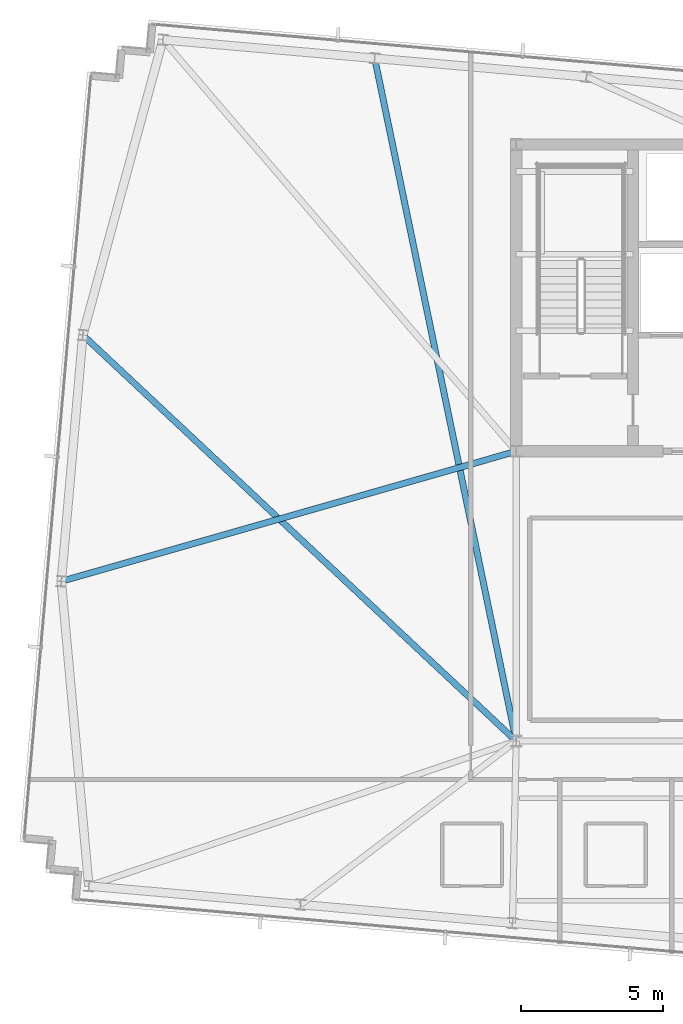
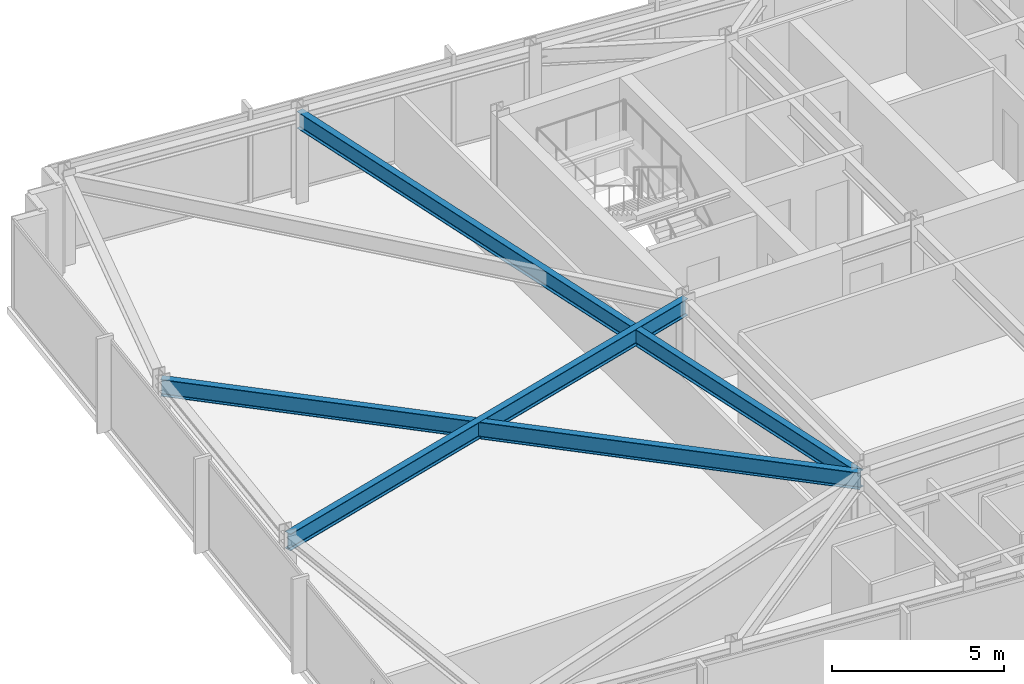
# One storey, part 10 of 33: 3 beams.
"""IFC4 building model written with IfcOpenShell, lengths in metres."""

from ifc_helpers import new_model, si_unit, direction, frame, origin, origin_2d, place, context, subcontext, project, spatial, i_section, extrude, material, material_profile, profile_set, type_object, element, save


model = new_model("IFC4")

# Units and contexts
model_context = context("Model", 3, precision=1e-05, world=origin(), true_north=direction((0.0, 1.0)))
body_context = subcontext(model_context, "Body", "Model", "MODEL_VIEW")
ifc_project = project(units=[si_unit("LENGTHUNIT", "METRE"), si_unit("AREAUNIT", "SQUARE_METRE"), si_unit("VOLUMEUNIT", "CUBIC_METRE"), si_unit("PLANEANGLEUNIT", "RADIAN"), si_unit("MASSUNIT", "GRAM", prefix="KILO")], contexts=[model_context])

# Site, building, storey
site_placement = place(None, origin())
site = spatial("IfcSite", under=ifc_project, at=site_placement, CompositionType="ELEMENT")
building_placement = place(site_placement, origin())
building = spatial("IfcBuilding", under=site, at=building_placement, Name="Yelkora Congress Tower", CompositionType="ELEMENT")
storey_placement = place(building_placement, frame((0.0, 0.0, 286.300048828125)))
storey = spatial("IfcBuildingStorey", under=building, at=storey_placement, Name="L80", CompositionType="ELEMENT", Elevation=286.300048828125)

# Beams
ifc_material = material(Name="Steel S355J2", Category="steel")
ifc_material_profile = material_profile(ifc_material, i_section(OverallWidth=0.219970703125, OverallDepth=0.60009765625, WebThickness=0.011962890625, FlangeThickness=0.01904296875, FilletRadius=0.02392578125, at=origin_2d()), Name="IPE 600")
ifc_profile_set = profile_set([ifc_material_profile], Name="Steel S355J2")
beam_type = type_object("IfcBeamType", Name="BM-GIRD-IPE600", PredefinedType="BEAM", material=ifc_profile_set)
beam_1_placement = place(storey_placement, frame((18.058837890625, 49.231689453125, 2.8798828125), z_axis=(0.202961834344, -0.979186649112, 0.0), x_axis=(0.979186649112, 0.202961834344, 0.0)))
element("IfcBeam", 1, at=beam_1_placement, inside=storey, type_object=beam_type, Name="L80 Primary Frame Girder N02", PredefinedType="BEAM", context=body_context, shape_type="SweptSolid", body=[
    extrude(i_section(OverallWidth=0.219970703125, OverallDepth=0.60009765625, WebThickness=0.011962890625, FlangeThickness=0.01904296875, FilletRadius=0.02392578125, at=origin_2d()), origin(), (0.0, 0.0, 1.0), 24.54248046875),
])
beam_2_placement = place(storey_placement, frame((7.029052734375, 30.822998046875, 2.8798828125), z_axis=(0.961486871307, 0.274850861932, 0.0), x_axis=(-0.274850861932, 0.961486871307, 0.0)))
element("IfcBeam", 2, at=beam_2_placement, inside=storey, type_object=beam_type, Name="L80 Primary Frame Girder W01", PredefinedType="BEAM", context=body_context, shape_type="SweptSolid", body=[
    extrude(i_section(OverallWidth=0.219970703125, OverallDepth=0.60009765625, WebThickness=0.011962890625, FlangeThickness=0.01904296875, FilletRadius=0.02392578125, at=origin_2d()), origin(), (0.0, 0.0, 1.0), 16.65234375),
])
beam_3_placement = place(storey_placement, frame((7.787353515625, 39.489990234375, 2.8798828125), z_axis=(0.729760461145, -0.683702910152, 0.0), x_axis=(0.683702910152, 0.729760461145, 0.0)))
element("IfcBeam", 3, at=beam_3_placement, inside=storey, type_object=beam_type, Name="L80 Primary Frame Girder W02", PredefinedType="BEAM", context=body_context, shape_type="SweptSolid", body=[
    extrude(i_section(OverallWidth=0.219970703125, OverallDepth=0.60009765625, WebThickness=0.011962890625, FlangeThickness=0.01904296875, FilletRadius=0.02392578125, at=origin_2d()), origin(), (0.0, 0.0, 1.0), 20.90087890625),
])

save(model, "model.ifc")
